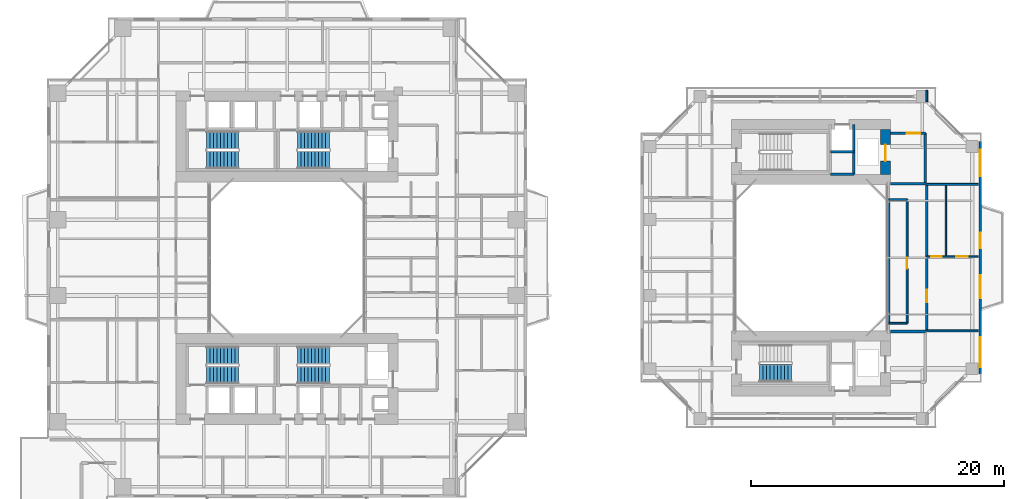
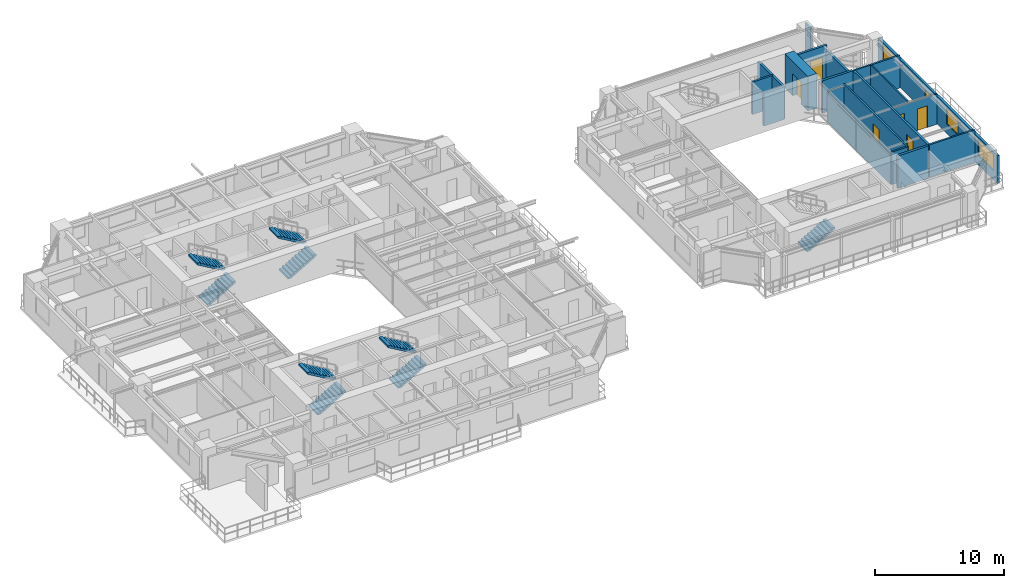
# One storey, part 17 of 22: 19 walls, 9 stair flights, 7 doors, 3 windows, 10 openings, 5 elements without a shape of their own.
"""IFC4 building model written with IfcOpenShell, lengths in metres."""

import ifcopenshell
import ifcopenshell.guid

model = None  # the IFC model being written
_history = None  # IfcOwnerHistory: only IFC2X3 demands one
_inside = {}  # id of a spatial element -> (the spatial element, [elements in it])
_under = {}  # id of a project, library or spatial element -> (it, [spatial elements below it])
_declared = {}  # id of a project -> (the project, [libraries it declares])
_typed = {}  # id of a type object -> (the type object, [elements of that type])
_made_of = {}  # id of a material, layer set ... -> (it, [elements and type objects made of it])


def new_model(schema):
    """Start an empty IFC model of exactly this schema.

    Asked for "IFC4X3", IfcOpenShell would pick the latest addendum, in which some entities
    have other attributes; the version numbers below select the first issue.
    IFC2X3 requires an IfcOwnerHistory on every rooted entity: one is made here for all.
    """
    global model, _history
    if schema == "IFC4X3":
        model = ifcopenshell.file(schema_version=(4, 3, 0, 0))
    else:
        model = ifcopenshell.file(schema=schema)
    _inside.clear()
    _under.clear()
    _declared.clear()
    _typed.clear()
    _made_of.clear()
    _history = None
    if model.schema == "IFC2X3":
        org = make("IfcOrganization", Name="unknown")
        user = make(
            "IfcPersonAndOrganization",
            ThePerson=make("IfcPerson", FamilyName="unknown"),
            TheOrganization=org,
        )
        app = make(
            "IfcApplication",
            ApplicationDeveloper=org,
            Version="unknown",
            ApplicationFullName="unknown",
            ApplicationIdentifier="unknown",
        )
        _history = make(
            "IfcOwnerHistory",
            OwningUser=user,
            OwningApplication=app,
            ChangeAction="ADDED",
            CreationDate=0,
        )
    return model


def make(cls, **values):
    """One entity of the class cls with the attributes given. An attribute that is None is left unset."""
    return model.create_entity(
        cls, **{name: value for name, value in values.items() if value is not None}
    )


def rooted(cls, **values):
    """An entity with a GlobalId (a new one), such as an element, a storey or a relation."""
    return make(cls, GlobalId=ifcopenshell.guid.new(), OwnerHistory=_history, **values)


def si_unit(unit_type, name, prefix=None):
    """IfcSIUnit, for example si_unit("LENGTHUNIT", "METRE", prefix="MILLI")."""
    return make("IfcSIUnit", UnitType=unit_type, Prefix=prefix, Name=name)


def assignment(units):
    """IfcUnitAssignment: the units of a project."""
    return None if units is None else make("IfcUnitAssignment", Units=units)


def point(xyz):
    """IfcCartesianPoint."""
    return None if xyz is None else make("IfcCartesianPoint", Coordinates=xyz)


def direction(xyz):
    """IfcDirection."""
    return None if xyz is None else make("IfcDirection", DirectionRatios=xyz)


def frame(location, z_axis=None, x_axis=None):
    """IfcAxis2Placement3D, a coordinate frame: its origin and axes. An axis left out is left unset."""
    return make(
        "IfcAxis2Placement3D",
        Location=point(location),
        Axis=direction(z_axis),
        RefDirection=direction(x_axis),
    )


def frame_2d(location, x_axis=None):
    """IfcAxis2Placement2D, a coordinate frame in the plane: its origin and x axis."""
    return make(
        "IfcAxis2Placement2D", Location=point(location), RefDirection=direction(x_axis)
    )


def origin():
    """The frame at (0, 0, 0) with its axes left unset."""
    return frame((0.0, 0.0, 0.0))


def place(relative_to, where):
    """IfcLocalPlacement: puts the frame where relative to a parent placement (None: the world)."""
    return make(
        "IfcLocalPlacement", PlacementRelTo=relative_to, RelativePlacement=where
    )


def context(
    kind, dimensions, precision=None, world=None, true_north=None, identifier=None
):
    """IfcGeometricRepresentationContext, for example the 3D "Model" context."""
    return make(
        "IfcGeometricRepresentationContext",
        ContextIdentifier=identifier,
        ContextType=kind,
        CoordinateSpaceDimension=dimensions,
        Precision=precision,
        WorldCoordinateSystem=world,
        TrueNorth=true_north,
    )


def subcontext(parent, identifier, kind, view, scale=None):
    """IfcGeometricRepresentationSubContext, for example "Body" below "Model"."""
    return make(
        "IfcGeometricRepresentationSubContext",
        ContextIdentifier=identifier,
        ContextType=kind,
        ParentContext=parent,
        TargetScale=scale,
        TargetView=view,
    )


def project(units=None, contexts=None):
    """IfcProject with its units and contexts."""
    return rooted(
        "IfcProject",
        Name="project",
        RepresentationContexts=contexts,
        UnitsInContext=assignment(units),
    )


def spatial(cls, under=None, at=None, **own):
    """A site, building, storey or space (cls), placed at a placement, below another one or the project."""
    s = rooted(cls, ObjectPlacement=at, **own)
    if under is not None:
        _under.setdefault(under.id(), (under, []))[1].append(s)
    return s


def polyline(points):
    """IfcPolyline through the points."""
    return make("IfcPolyline", Points=[point(p) for p in points])


def profile(cls, at=None, kind="AREA", **sizes):
    """A parametric profile (cls). Its sizes go by their IFC names, for example OverallWidth=200.0."""
    return make(cls, ProfileType=kind, Position=at, **sizes)


def rectangle(**sizes):
    """IfcRectangleProfileDef."""
    return profile("IfcRectangleProfileDef", **sizes)


def outline(outer, holes=None, kind="AREA"):
    """IfcArbitraryClosedProfileDef: a profile drawn as a closed curve; with holes, ...WithVoids."""
    if holes is None:
        return make("IfcArbitraryClosedProfileDef", ProfileType=kind, OuterCurve=outer)
    return make(
        "IfcArbitraryProfileDefWithVoids",
        ProfileType=kind,
        OuterCurve=outer,
        InnerCurves=holes,
    )


def extrude(swept, where, along, depth):
    """IfcExtrudedAreaSolid: the profile swept, set in the frame where, extruded along a direction by depth."""
    return make(
        "IfcExtrudedAreaSolid",
        SweptArea=swept,
        Position=where,
        ExtrudedDirection=direction(along),
        Depth=depth,
    )


def shape(context_of_items, identifier, shape_type, items):
    """IfcShapeRepresentation: the items that make up one representation, for example the "Body"."""
    return make(
        "IfcShapeRepresentation",
        ContextOfItems=context_of_items,
        RepresentationIdentifier=identifier,
        RepresentationType=shape_type,
        Items=items,
    )


def source(mapping_origin, context_of_items, identifier, shape_type, items):
    """IfcRepresentationMap: a shape defined once, which mapped items show again and again."""
    return make(
        "IfcRepresentationMap",
        MappingOrigin=mapping_origin,
        MappedRepresentation=shape(context_of_items, identifier, shape_type, items),
    )


def transform(
    local_origin,
    x_axis=None,
    y_axis=None,
    z_axis=None,
    scale=None,
    scale2=None,
    scale3=None,
    uniform=True,
):
    """IfcCartesianTransformationOperator3D, or its non-uniform kind. x_axis, y_axis, z_axis: its Axis1, 2, 3."""
    if uniform:
        return make(
            "IfcCartesianTransformationOperator3D",
            Axis1=direction(x_axis),
            Axis2=direction(y_axis),
            LocalOrigin=point(local_origin),
            Scale=scale,
            Axis3=direction(z_axis),
        )
    return make(
        "IfcCartesianTransformationOperator3DnonUniform",
        Axis1=direction(x_axis),
        Axis2=direction(y_axis),
        LocalOrigin=point(local_origin),
        Scale=scale,
        Axis3=direction(z_axis),
        Scale2=scale2,
        Scale3=scale3,
    )


def mapped(mapping_source, mapping_target):
    """IfcMappedItem: shows the shape of a source again, moved by a transform."""
    return make(
        "IfcMappedItem", MappingSource=mapping_source, MappingTarget=mapping_target
    )


def material(Name=None, Category=None):
    """IfcMaterial."""
    return make("IfcMaterial", Name=Name, Category=Category)


def layer(
    of_material, thickness, ventilated=None, Name=None, Category=None, Priority=None
):
    """IfcMaterialLayer: one layer of a wall or slab, of a material (None: an air gap)."""
    return make(
        "IfcMaterialLayer",
        Material=of_material,
        LayerThickness=thickness,
        IsVentilated=ventilated,
        Name=Name,
        Category=Category,
        Priority=Priority,
    )


def layer_set(layers, Name=None):
    """IfcMaterialLayerSet."""
    return make("IfcMaterialLayerSet", MaterialLayers=layers, LayerSetName=Name)


def made_of(thing, what):
    """Note that an element or type object is made of a material, layer set ...; save() writes the relation."""
    if what is not None:
        _made_of.setdefault(what.id(), (what, []))[1].append(thing)
    return thing


def type_object(cls, material=None, **own):
    """A type object (cls), such as IfcWallType, which elements share."""
    return made_of(rooted(cls, **own), material)


def element(
    cls,
    number,
    at=None,
    inside=None,
    cuts=None,
    type_object=None,
    material=None,
    context=None,
    identifier="Body",
    shape_type=None,
    held_by="IfcProductDefinitionShape",
    body=None,
    shapes=None,
    **own,
):
    """One element of the class cls, such as IfcWall. Its Tag is "e" and its number.

    at: its placement. inside: the storey or other place that contains it. cuts: it is an
    opening in that element (IfcRelVoidsElement). A single representation is given by context,
    identifier, shape_type and body (its items); several are given by shapes. held_by: the class
    of the entity that holds the representations. save() writes the other relations.
    """
    e = rooted(cls, Tag="e%d" % number, ObjectPlacement=at, **own)
    if body is not None:
        shapes = [shape(context, identifier, shape_type, body)]
    if shapes is not None:
        e.Representation = make(held_by, Representations=shapes)
    if inside is not None:
        _inside.setdefault(inside.id(), (inside, []))[1].append(e)
    if cuts is not None:
        rooted(
            "IfcRelVoidsElement", RelatingBuildingElement=cuts, RelatedOpeningElement=e
        )
    if type_object is not None:
        _typed.setdefault(type_object.id(), (type_object, []))[1].append(e)
    return made_of(e, material)


def fill(opening, filler):
    """IfcRelFillsElement: the door or window that sits in an opening."""
    return rooted(
        "IfcRelFillsElement",
        RelatingOpeningElement=opening,
        RelatedBuildingElement=filler,
    )


def aggregate(whole, parts):
    """IfcRelAggregates: a whole, such as a stair, and the parts it consists of."""
    return rooted("IfcRelAggregates", RelatingObject=whole, RelatedObjects=parts)


def save(model, path):
    """Write the relations noted so far, then the file.

    IfcRelAggregates (storeys below a building ...), IfcRelContainedInSpatialStructure (elements
    in a storey), IfcRelDefinesByType, IfcRelAssociatesMaterial and IfcRelDeclares: one each for
    every whole, place, type object, material and project.
    """
    for whole, parts in _under.values():
        aggregate(whole, parts)
    for where, things in _inside.values():
        rooted(
            "IfcRelContainedInSpatialStructure",
            RelatedElements=things,
            RelatingStructure=where,
        )
    for kind, things in _typed.values():
        rooted("IfcRelDefinesByType", RelatedObjects=things, RelatingType=kind)
    for what, things in _made_of.values():
        rooted("IfcRelAssociatesMaterial", RelatedObjects=things, RelatingMaterial=what)
    for by, libraries in _declared.values():
        rooted("IfcRelDeclares", RelatingContext=by, RelatedDefinitions=libraries)
    model.write(path)


model = new_model("IFC4")

# Units and contexts
model_context = context("Model", 3, precision=1e-05, world=origin(), true_north=direction((0.0, 1.0)))
body_context = subcontext(model_context, "Body", "Model", "MODEL_VIEW")
ifc_project = project(units=[si_unit("LENGTHUNIT", "METRE"), si_unit("AREAUNIT", "SQUARE_METRE"), si_unit("VOLUMEUNIT", "CUBIC_METRE"), si_unit("PLANEANGLEUNIT", "RADIAN"), si_unit("MASSUNIT", "GRAM", prefix="KILO"), si_unit("THERMODYNAMICTEMPERATUREUNIT", "KELVIN"), si_unit("POWERUNIT", "WATT")], contexts=[model_context])

# Site, building, storey
site_placement = place(None, origin())
site = spatial("IfcSite", under=ifc_project, at=site_placement, CompositionType="ELEMENT")
building_placement = place(site_placement, origin())
building = spatial("IfcBuilding", under=site, at=building_placement, Name="Qiaomeng Ring Towers", CompositionType="ELEMENT")
storey_placement = place(building_placement, frame((0.0, 0.0, 53.5)))
storey = spatial("IfcBuildingStorey", under=building, at=storey_placement, Name="L14", CompositionType="ELEMENT", Elevation=53.5)

# Wall, openings, windows, door
ifc_material_1 = material(Name="Precast concrete C40", Category="concrete")
ifc_layer_1 = layer(ifc_material_1, 0.219970703125, Name="Precast concrete C40")
ifc_layer_set_1 = layer_set([ifc_layer_1], Name="Precast concrete C40")
wall_type_1 = type_object("IfcWallType", Name="ARC-WL-EW2", PredefinedType="STANDARD", material=ifc_layer_set_1)
wall_1_placement = place(storey_placement, frame((73.889892578125, 13.800048828125, 0.0), z_axis=(0.0, 0.0, 1.0), x_axis=(0.0, 1.0, 0.0)))
wall_1 = element("IfcWall", 1, at=wall_1_placement, inside=storey, type_object=wall_type_1, Name="L14 Companion East Wall", PredefinedType="STANDARD", context=body_context, shape_type="SweptSolid", body=[
    extrude(rectangle(XDim=18.39990234375, YDim=0.219970703125, at=frame_2d((9.199951171875, 0.0))), origin(), (0.0, 0.0, 1.0), 2.610107421875),
])
opening_1_placement = place(wall_1_placement, frame((9.949951171875, 0.0, 0.0)))
opening_1 = element("IfcOpeningElement", 2, at=opening_1_placement, cuts=wall_1, Name="Opening BD1", PredefinedType="OPENING", context=body_context, shape_type="SweptSolid", body=[
    extrude(rectangle(XDim=1.199951171875, YDim=2.10009765625, at=frame_2d((0.60009765625, 1.050048828125))), frame((0.0, 0.119873046875, 0.0), z_axis=(0.0, -1.0, 0.0), x_axis=(1.0, 0.0, 0.0)), (0.0, 0.0, 1.0), 0.239990234375),
])
opening_2_placement = place(wall_1_placement, frame((0.507568359375, 0.0, 0.89990234375)))
opening_2 = element("IfcOpeningElement", 3, at=opening_2_placement, cuts=wall_1, Name="Opening WN6", PredefinedType="OPENING", context=body_context, shape_type="SweptSolid", body=[
    extrude(rectangle(XDim=2.39990234375, YDim=1.5, at=frame_2d((1.199951171875, 0.75))), frame((0.0, 0.119873046875, 0.0), z_axis=(0.0, -1.0, 0.0), x_axis=(1.0, 0.0, 0.0)), (0.0, 0.0, 1.0), 0.239990234375),
])
opening_3_placement = place(wall_1_placement, frame((6.0, 0.0, 0.89990234375)))
opening_3 = element("IfcOpeningElement", 4, at=opening_3_placement, cuts=wall_1, Name="Opening WN1", PredefinedType="OPENING", context=body_context, shape_type="SweptSolid", body=[
    extrude(rectangle(XDim=1.800048828125, YDim=1.449951171875, at=frame_2d((0.89990234375, 0.72509765625))), frame((0.0, 0.119873046875, 0.0), z_axis=(0.0, -1.0, 0.0), x_axis=(1.0, 0.0, 0.0)), (0.0, 0.0, 1.0), 0.239990234375),
])
opening_4_placement = place(wall_1_placement, frame((15.642578125, 0.0, 0.89990234375)))
opening_4 = element("IfcOpeningElement", 5, at=opening_4_placement, cuts=wall_1, Name="Opening WN4", PredefinedType="OPENING", context=body_context, shape_type="SweptSolid", body=[
    extrude(rectangle(XDim=2.10009765625, YDim=1.5, at=frame_2d((1.050048828125, 0.75))), frame((0.0, 0.119873046875, 0.0), z_axis=(0.0, -1.0, 0.0), x_axis=(1.0, 0.0, 0.0)), (0.0, 0.0, 1.0), 0.239990234375),
])
ifc_material_2 = material(Name="Low-E dark-grey laminated double glazing", Category="glass")
window_type_1 = type_object("IfcWindowType", Name="ARC-WN-4", PartitioningType="TRIPLE_PANEL_VERTICAL", PredefinedType="WINDOW", material=ifc_material_2)
shared_shape_1 = source(origin(), body_context, "Body", "SweptSolid", [
    extrude(rectangle(XDim=2.10009765625, YDim=1.5, at=frame_2d((1.050048828125, 0.75))), frame((0.0, 0.030029296875, 0.0), z_axis=(0.0, -1.0, 0.0), x_axis=(1.0, 0.0, 0.0)), (0.0, 0.0, 1.0), 0.06005859375),
])
window_1_placement = place(opening_4_placement, origin())
window_1 = element("IfcWindow", 6, at=window_1_placement, inside=storey, type_object=window_type_1, Name="L14 Exterior Window WN4", OverallHeight=1.5, OverallWidth=2.10009765625, PartitioningType="TRIPLE_PANEL_VERTICAL", PredefinedType="WINDOW", context=body_context, shape_type="MappedRepresentation", body=[
    mapped(shared_shape_1, transform((0.0, 0.0, 0.0), x_axis=(1.0, 0.0, 0.0), y_axis=(0.0, 1.0, 0.0), z_axis=(0.0, 0.0, 1.0), scale=1.0)),
])
fill(opening_4, window_1)
window_type_2 = type_object("IfcWindowType", Name="ARC-WN-1", PartitioningType="DOUBLE_PANEL_VERTICAL", PredefinedType="WINDOW", material=ifc_material_2)
shared_shape_2 = source(origin(), body_context, "Body", "SweptSolid", [
    extrude(rectangle(XDim=1.800048828125, YDim=1.449951171875, at=frame_2d((0.89990234375, 0.72509765625))), frame((0.0, 0.030029296875, 0.0), z_axis=(0.0, -1.0, 0.0), x_axis=(1.0, 0.0, 0.0)), (0.0, 0.0, 1.0), 0.06005859375),
])
window_2_placement = place(opening_3_placement, origin())
window_2 = element("IfcWindow", 7, at=window_2_placement, inside=storey, type_object=window_type_2, Name="L14 Exterior Window WN1", OverallHeight=1.449951171875, OverallWidth=1.800048828125, PartitioningType="DOUBLE_PANEL_VERTICAL", PredefinedType="WINDOW", context=body_context, shape_type="MappedRepresentation", body=[
    mapped(shared_shape_2, transform((0.0, 0.0, 0.0), x_axis=(1.0, 0.0, 0.0), y_axis=(0.0, 1.0, 0.0), z_axis=(0.0, 0.0, 1.0), scale=1.0)),
])
fill(opening_3, window_2)
door_type_1 = type_object("IfcDoorType", Name="ARC-DR-BD1", OperationType="NOTDEFINED", PredefinedType="DOOR", material=ifc_material_2)
shared_shape_3 = source(origin(), body_context, "Body", "SweptSolid", [
    extrude(rectangle(XDim=1.199951171875, YDim=2.10009765625, at=frame_2d((0.60009765625, 1.050048828125))), frame((0.0, 0.02490234375, 0.0), z_axis=(0.0, -1.0, 0.0), x_axis=(1.0, 0.0, 0.0)), (0.0, 0.0, 1.0), 0.050048828125),
])
door_1_placement = place(opening_1_placement, origin())
door_1 = element("IfcDoor", 8, at=door_1_placement, inside=storey, type_object=door_type_1, Name="L14 Companion East Balcony Door", OperationType="SINGLE_SWING_LEFT", OverallHeight=2.10009765625, OverallWidth=1.199951171875, PredefinedType="DOOR", context=body_context, shape_type="MappedRepresentation", body=[
    mapped(shared_shape_3, transform((0.0, 0.0, 0.0), x_axis=(1.0, 0.0, 0.0), y_axis=(0.0, 1.0, 0.0), z_axis=(0.0, 0.0, 1.0), scale=1.0)),
])
fill(opening_1, door_1)
window_type_3 = type_object("IfcWindowType", Name="ARC-WN-6", PartitioningType="TRIPLE_PANEL_VERTICAL", PredefinedType="WINDOW", material=ifc_material_2)
shared_shape_4 = source(origin(), body_context, "Body", "SweptSolid", [
    extrude(rectangle(XDim=2.39990234375, YDim=1.5, at=frame_2d((1.199951171875, 0.75))), frame((0.0, 0.030029296875, 0.0), z_axis=(0.0, -1.0, 0.0), x_axis=(1.0, 0.0, 0.0)), (0.0, 0.0, 1.0), 0.06005859375),
])
window_3_placement = place(opening_2_placement, origin())
window_3 = element("IfcWindow", 9, at=window_3_placement, inside=storey, type_object=window_type_3, Name="L14 Exterior Window WN6", OverallHeight=1.5, OverallWidth=2.39990234375, PartitioningType="TRIPLE_PANEL_VERTICAL", PredefinedType="WINDOW", context=body_context, shape_type="MappedRepresentation", body=[
    mapped(shared_shape_4, transform((0.0, 0.0, 0.0), x_axis=(1.0, 0.0, 0.0), y_axis=(0.0, 1.0, 0.0), z_axis=(0.0, 0.0, 1.0), scale=1.0)),
])
fill(opening_2, window_3)

# Walls
ifc_material_3 = material(Name="Autoclaved aerated concrete block", Category="concrete")
ifc_layer_2 = layer(ifc_material_3, 0.199951171875, Name="Autoclaved aerated concrete block")
ifc_layer_set_2 = layer_set([ifc_layer_2], Name="Autoclaved aerated concrete block")
wall_type_2 = type_object("IfcWallType", Name="ARC-WL-PW1", PredefinedType="PARTITIONING", material=ifc_layer_set_2)
wall_2_placement = place(storey_placement, frame((66.800048828125, 28.85009765625, 0.0), z_axis=(0.0, 0.0, 1.0), x_axis=(1.0, 0.0, 0.0)))
element("IfcWall", 10, at=wall_2_placement, inside=storey, type_object=wall_type_2, Name="L14 Interior Wall PW1", PredefinedType="PARTITIONING", context=body_context, shape_type="SweptSolid", body=[
    extrude(rectangle(XDim=2.75, YDim=0.199951171875, at=frame_2d((1.375, 0.0))), origin(), (0.0, 0.0, 1.0), 3.070068359375),
])
wall_3_placement = place(storey_placement, frame((69.550048828125, 28.85009765625, 0.0), z_axis=(0.0, 0.0, 1.0), x_axis=(0.0, 1.0, 0.0)))
element("IfcWall", 11, at=wall_3_placement, inside=storey, type_object=wall_type_2, Name="L14 Interior Wall PW1", PredefinedType="PARTITIONING", context=body_context, shape_type="SweptSolid", body=[
    extrude(rectangle(XDim=4.0, YDim=0.199951171875, at=frame_2d((2.0, 0.0))), origin(), (0.0, 0.0, 1.0), 2.614990234375),
])

# Wall, opening, door
wall_4_placement = place(storey_placement, frame((66.800048828125, 32.85009765625, 0.0), z_axis=(0.0, 0.0, 1.0), x_axis=(1.0, 0.0, 0.0)))
wall_4 = element("IfcWall", 12, at=wall_4_placement, inside=storey, type_object=wall_type_2, Name="L14 Interior Wall PW1", PredefinedType="PARTITIONING", context=body_context, shape_type="SweptSolid", body=[
    extrude(rectangle(XDim=2.75, YDim=0.199951171875, at=frame_2d((1.375, 0.0))), origin(), (0.0, 0.0, 1.0), 3.070068359375),
])
opening_5_placement = place(wall_4_placement, frame((1.25, 0.0, 0.0)))
opening_5 = element("IfcOpeningElement", 13, at=opening_5_placement, cuts=wall_4, Name="Opening FD3", PredefinedType="OPENING", context=body_context, shape_type="SweptSolid", body=[
    extrude(rectangle(XDim=1.10009765625, YDim=2.050048828125, at=frame_2d((0.550048828125, 1.02490234375))), frame((0.0, 0.10986328125, 0.0), z_axis=(0.0, -1.0, 0.0), x_axis=(1.0, 0.0, 0.0)), (0.0, 0.0, 1.0), 0.219970703125),
])
ifc_material_4 = material(Name="Galvanised steel", Category="steel")
door_type_2 = type_object("IfcDoorType", Name="ARC-DR-FD3", OperationType="NOTDEFINED", PredefinedType="DOOR", material=ifc_material_4)
shared_shape_5 = source(origin(), body_context, "Body", "SweptSolid", [
    extrude(rectangle(XDim=1.10009765625, YDim=2.050048828125, at=frame_2d((0.550048828125, 1.02490234375))), frame((0.0, 0.02490234375, 0.0), z_axis=(0.0, -1.0, 0.0), x_axis=(1.0, 0.0, 0.0)), (0.0, 0.0, 1.0), 0.050048828125),
])
door_2_placement = place(opening_5_placement, origin())
door_2 = element("IfcDoor", 14, at=door_2_placement, inside=storey, type_object=door_type_2, Name="L14 Door FD3", OperationType="SINGLE_SWING_LEFT", OverallHeight=2.050048828125, OverallWidth=1.10009765625, PredefinedType="DOOR", context=body_context, shape_type="MappedRepresentation", body=[
    mapped(shared_shape_5, transform((0.0, 0.0, 0.0), x_axis=(1.0, 0.0, 0.0), y_axis=(0.0, 1.0, 0.0), z_axis=(0.0, 0.0, 1.0), scale=1.0)),
])
fill(opening_5, door_2)

# Wall
wall_5_placement = place(storey_placement, frame((66.800048828125, 17.14990234375, 0.0), z_axis=(0.0, 0.0, 1.0), x_axis=(1.0, 0.0, 0.0)))
element("IfcWall", 15, at=wall_5_placement, inside=storey, type_object=wall_type_2, Name="L14 Interior Wall PW1", PredefinedType="PARTITIONING", context=body_context, shape_type="SweptSolid", body=[
    extrude(rectangle(XDim=2.75, YDim=0.199951171875, at=frame_2d((1.375, 0.0))), origin(), (0.0, 0.0, 1.0), 3.070068359375),
])

# Wall, opening, door
ifc_layer_3 = layer(ifc_material_3, 0.179931640625, Name="Autoclaved aerated concrete block")
ifc_layer_set_3 = layer_set([ifc_layer_3], Name="Autoclaved aerated concrete block")
wall_type_3 = type_object("IfcWallType", Name="ARC-WL-PW2", PredefinedType="PARTITIONING", material=ifc_layer_set_3)
wall_6_placement = place(storey_placement, frame((69.64990234375, 17.199951171875, 0.0), z_axis=(0.0, 0.0, 1.0), x_axis=(0.0, 1.0, 0.0)))
wall_6 = element("IfcWall", 16, at=wall_6_placement, inside=storey, type_object=wall_type_3, Name="L14 Interior Wall PW2", PredefinedType="PARTITIONING", context=body_context, shape_type="SweptSolid", body=[
    extrude(rectangle(XDim=11.60009765625, YDim=0.179931640625, at=frame_2d((5.800048828125, 0.0))), origin(), (0.0, 0.0, 1.0), 3.070068359375),
])
opening_6_placement = place(wall_6_placement, frame((2.260009765625, 0.0, 0.0)))
opening_6 = element("IfcOpeningElement", 17, at=opening_6_placement, cuts=wall_6, Name="Opening FD4", PredefinedType="OPENING", context=body_context, shape_type="SweptSolid", body=[
    extrude(rectangle(XDim=1.0, YDim=2.050048828125, at=frame_2d((0.5, 1.02490234375))), frame((0.0, 0.099853515625, 0.0), z_axis=(0.0, -1.0, 0.0), x_axis=(1.0, 0.0, 0.0)), (0.0, 0.0, 1.0), 0.199951171875),
])
ifc_material_5 = material(Name="Engineered fire-rated oak timber", Category="wood")
door_type_3 = type_object("IfcDoorType", Name="ARC-DR-FD4", OperationType="NOTDEFINED", PredefinedType="DOOR", material=ifc_material_5)
shared_shape_6 = source(origin(), body_context, "Body", "SweptSolid", [
    extrude(rectangle(XDim=1.0, YDim=2.050048828125, at=frame_2d((0.5, 1.02490234375))), frame((0.0, 0.02490234375, 0.0), z_axis=(0.0, -1.0, 0.0), x_axis=(1.0, 0.0, 0.0)), (0.0, 0.0, 1.0), 0.050048828125),
])
door_3_placement = place(opening_6_placement, origin())
door_3 = element("IfcDoor", 18, at=door_3_placement, inside=storey, type_object=door_type_3, Name="L14 Door FD4", OperationType="SINGLE_SWING_LEFT", OverallHeight=2.050048828125, OverallWidth=1.0, PredefinedType="DOOR", context=body_context, shape_type="MappedRepresentation", body=[
    mapped(shared_shape_6, transform((0.0, 0.0, 0.0), x_axis=(1.0, 0.0, 0.0), y_axis=(0.0, 1.0, 0.0), z_axis=(0.0, 0.0, 1.0), scale=1.0)),
])
fill(opening_6, door_3)

# Walls
ifc_material_6 = material(Name="Gypsum fireboard steel-stud partition", Category="steel")
ifc_layer_4 = layer(ifc_material_6, 0.14990234375, Name="Gypsum fireboard steel-stud partition")
ifc_layer_set_4 = layer_set([ifc_layer_4], Name="Gypsum fireboard steel-stud partition")
wall_type_4 = type_object("IfcWallType", Name="ARC-WL-PW3", PredefinedType="PARTITIONING", material=ifc_layer_set_4)
for number, where, z_axis, x_axis, name in (
    (19, (69.64990234375, 17.199951171875, 0.0), (0.0, 0.0, 1.0), (1.0, 0.0, 0.0), "L14 Interior Wall PW3"),
    (20, (69.64990234375, 28.800048828125, 0.0), (0.0, 0.0, 1.0), (1.0, 0.0, 0.0), "L14 Interior Wall PW3"),
):
    element("IfcWall", number, at=place(storey_placement, frame(where, z_axis=z_axis, x_axis=x_axis)), inside=storey, type_object=wall_type_4, Name=name, PredefinedType="PARTITIONING", context=body_context, shape_type="SweptSolid", body=[
        extrude(rectangle(XDim=4.10009765625, YDim=0.14990234375, at=frame_2d((2.050048828125, 0.0))), origin(), (0.0, 0.0, 1.0), 3.070068359375),
    ])

# Wall, opening, door
wall_7_placement = place(storey_placement, frame((68.10009765625, 17.800048828125, 0.0), z_axis=(0.0, 0.0, 1.0), x_axis=(0.0, 1.0, 0.0)))
wall_7 = element("IfcWall", 21, at=wall_7_placement, inside=storey, type_object=wall_type_4, Name="L14 Interior Wall PW3", PredefinedType="PARTITIONING", context=body_context, shape_type="SweptSolid", body=[
    extrude(rectangle(XDim=9.800048828125, YDim=0.14990234375, at=frame_2d((4.89990234375, 0.0))), origin(), (0.0, 0.0, 1.0), 3.070068359375),
])
opening_7_placement = place(wall_7_placement, frame((4.300048828125, 0.0, 0.0)))
opening_7 = element("IfcOpeningElement", 22, at=opening_7_placement, cuts=wall_7, Name="Opening ID1", PredefinedType="OPENING", context=body_context, shape_type="SweptSolid", body=[
    extrude(rectangle(XDim=0.89990234375, YDim=2.050048828125, at=frame_2d((0.449951171875, 1.02490234375))), frame((0.0, 0.0849609375, 0.0), z_axis=(0.0, -1.0, 0.0), x_axis=(1.0, 0.0, 0.0)), (0.0, 0.0, 1.0), 0.169921875),
])
ifc_material_7 = material(Name="Engineered oak timber", Category="wood")
door_type_4 = type_object("IfcDoorType", Name="ARC-DR-ID1", OperationType="NOTDEFINED", PredefinedType="DOOR", material=ifc_material_7)
shared_shape_7 = source(origin(), body_context, "Body", "SweptSolid", [
    extrude(rectangle(XDim=0.89990234375, YDim=2.050048828125, at=frame_2d((0.449951171875, 1.02490234375))), frame((0.0, 0.02490234375, 0.0), z_axis=(0.0, -1.0, 0.0), x_axis=(1.0, 0.0, 0.0)), (0.0, 0.0, 1.0), 0.050048828125),
])
door_4_placement = place(opening_7_placement, origin())
door_4 = element("IfcDoor", 23, at=door_4_placement, inside=storey, type_object=door_type_4, Name="L14 Door ID1", OperationType="SINGLE_SWING_RIGHT", OverallHeight=2.050048828125, OverallWidth=0.89990234375, PredefinedType="DOOR", context=body_context, shape_type="MappedRepresentation", body=[
    mapped(shared_shape_7, transform((0.0, 0.0, 0.0), x_axis=(1.0, 0.0, 0.0), y_axis=(0.0, 1.0, 0.0), z_axis=(0.0, 0.0, 1.0), scale=1.0)),
])
fill(opening_7, door_4)

# Walls
wall_8_placement = place(storey_placement, frame((66.64990234375, 27.60009765625, 0.0), z_axis=(0.0, 0.0, 1.0), x_axis=(1.0, 0.0, 0.0)))
element("IfcWall", 24, at=wall_8_placement, inside=storey, type_object=wall_type_4, Name="L14 Interior Wall PW3", PredefinedType="PARTITIONING", context=body_context, shape_type="SweptSolid", body=[
    extrude(rectangle(XDim=1.4501953125, YDim=0.14990234375, at=frame_2d((0.72509765625, 0.0))), origin(), (0.0, 0.0, 1.0), 2.864990234375),
])
wall_9_placement = place(storey_placement, frame((66.64990234375, 17.800048828125, 0.0), z_axis=(0.0, 0.0, 1.0), x_axis=(1.0, 0.0, 0.0)))
element("IfcWall", 25, at=wall_9_placement, inside=storey, type_object=wall_type_4, Name="L14 Interior Wall PW3", PredefinedType="PARTITIONING", context=body_context, shape_type="SweptSolid", body=[
    extrude(rectangle(XDim=1.4501953125, YDim=0.14990234375, at=frame_2d((0.72509765625, 0.0))), origin(), (0.0, 0.0, 1.0), 3.070068359375),
])
wall_10_placement = place(storey_placement, frame((66.64990234375, 17.800048828125, 0.0), z_axis=(0.0, 0.0, 1.0), x_axis=(0.0, 1.0, 0.0)))
element("IfcWall", 26, at=wall_10_placement, inside=storey, type_object=wall_type_4, Name="L14 Interior Wall PW3", PredefinedType="PARTITIONING", context=body_context, shape_type="SweptSolid", body=[
    extrude(rectangle(XDim=9.800048828125, YDim=0.14990234375, at=frame_2d((4.89990234375, 0.0))), origin(), (0.0, 0.0, 1.0), 2.6650390625),
])
wall_11_placement = place(storey_placement, frame((69.64990234375, 35.35009765625, 0.0), z_axis=(0.0, 0.0, 1.0), x_axis=(0.0, 1.0, 0.0)))
element("IfcWall", 27, at=wall_11_placement, inside=storey, type_object=wall_type_4, Name="L14 Interior Wall PW3", PredefinedType="PARTITIONING", context=body_context, shape_type="SweptSolid", body=[
    extrude(rectangle(XDim=0.89990234375, YDim=0.14990234375, at=frame_2d((0.449951171875, 0.0))), origin(), (0.0, 0.0, 1.0), 3.070068359375),
])

# Wall, openings, doors
ifc_material_8 = material(Name="Moisture-resistant gypsum steel-stud partition", Category="steel")
ifc_layer_5 = layer(ifc_material_8, 0.1201171875, Name="Moisture-resistant gypsum steel-stud partition")
ifc_layer_set_5 = layer_set([ifc_layer_5], Name="Moisture-resistant gypsum steel-stud partition")
wall_type_5 = type_object("IfcWallType", Name="ARC-WL-PW4", PredefinedType="PLUMBINGWALL", material=ifc_layer_set_5)
wall_12_placement = place(storey_placement, frame((69.64990234375, 23.10009765625, 0.0), z_axis=(0.0, 0.0, 1.0), x_axis=(1.0, 0.0, 0.0)))
wall_12 = element("IfcWall", 28, at=wall_12_placement, inside=storey, type_object=wall_type_5, Name="L14 Interior Wall PW4", PredefinedType="PLUMBINGWALL", context=body_context, shape_type="SweptSolid", body=[
    extrude(rectangle(XDim=4.10009765625, YDim=0.1201171875, at=frame_2d((2.050048828125, 0.0))), origin(), (0.0, 0.0, 1.0), 2.864990234375),
])
opening_8_placement = place(wall_12_placement, frame((0.344970703125, 0.0, 0.0)))
opening_8 = element("IfcOpeningElement", 29, at=opening_8_placement, cuts=wall_12, Name="Opening ID2", PredefinedType="OPENING", context=body_context, shape_type="SweptSolid", body=[
    extrude(rectangle(XDim=0.85009765625, YDim=2.050048828125, at=frame_2d((0.425048828125, 1.02490234375))), frame((0.0, 0.070068359375, 0.0), z_axis=(0.0, -1.0, 0.0), x_axis=(1.0, 0.0, 0.0)), (0.0, 0.0, 1.0), 0.14013671875),
])
opening_9_placement = place(wall_12_placement, frame((2.35009765625, 0.0, 0.0)))
opening_9 = element("IfcOpeningElement", 30, at=opening_9_placement, cuts=wall_12, Name="Opening ID1", PredefinedType="OPENING", context=body_context, shape_type="SweptSolid", body=[
    extrude(rectangle(XDim=0.89990234375, YDim=2.050048828125, at=frame_2d((0.449951171875, 1.02490234375))), frame((0.0, 0.070068359375, 0.0), z_axis=(0.0, -1.0, 0.0), x_axis=(1.0, 0.0, 0.0)), (0.0, 0.0, 1.0), 0.14013671875),
])
ifc_material_9 = material(Name="Moisture-resistant engineered timber", Category="wood")
door_type_5 = type_object("IfcDoorType", Name="ARC-DR-ID2", OperationType="NOTDEFINED", PredefinedType="DOOR", material=ifc_material_9)
shared_shape_8 = source(origin(), body_context, "Body", "SweptSolid", [
    extrude(rectangle(XDim=0.85009765625, YDim=2.050048828125, at=frame_2d((0.425048828125, 1.02490234375))), frame((0.0, 0.02490234375, 0.0), z_axis=(0.0, -1.0, 0.0), x_axis=(1.0, 0.0, 0.0)), (0.0, 0.0, 1.0), 0.050048828125),
])
door_5_placement = place(opening_8_placement, origin())
door_5 = element("IfcDoor", 31, at=door_5_placement, inside=storey, type_object=door_type_5, Name="L14 Door ID2", OperationType="SINGLE_SWING_LEFT", OverallHeight=2.050048828125, OverallWidth=0.85009765625, PredefinedType="DOOR", context=body_context, shape_type="MappedRepresentation", body=[
    mapped(shared_shape_8, transform((0.0, 0.0, 0.0), x_axis=(1.0, 0.0, 0.0), y_axis=(0.0, 1.0, 0.0), z_axis=(0.0, 0.0, 1.0), scale=1.0)),
])
fill(opening_8, door_5)
door_6_placement = place(opening_9_placement, origin())
door_6 = element("IfcDoor", 32, at=door_6_placement, inside=storey, type_object=door_type_4, Name="L14 Door ID1", OperationType="SINGLE_SWING_RIGHT", OverallHeight=2.050048828125, OverallWidth=0.89990234375, PredefinedType="DOOR", context=body_context, shape_type="MappedRepresentation", body=[
    mapped(shared_shape_7, transform((0.0, 0.0, 0.0), x_axis=(1.0, 0.0, 0.0), y_axis=(0.0, 1.0, 0.0), z_axis=(0.0, 0.0, 1.0), scale=1.0)),
])
fill(opening_9, door_6)

# Walls
wall_13_placement = place(storey_placement, frame((71.169921875, 23.10009765625, 0.0), z_axis=(0.0, 0.0, 1.0), x_axis=(0.0, 1.0, 0.0)))
element("IfcWall", 33, at=wall_13_placement, inside=storey, type_object=wall_type_5, Name="L14 Interior Wall PW4", PredefinedType="PLUMBINGWALL", context=body_context, shape_type="SweptSolid", body=[
    extrude(rectangle(XDim=5.699951171875, YDim=0.1201171875, at=frame_2d((2.85009765625, 0.0))), origin(), (0.0, 0.0, 1.0), 3.070068359375),
])
ifc_material_10 = material(Name="Concrete C40", Category="concrete")
ifc_layer_6 = layer(ifc_material_10, 0.199951171875, Name="Concrete C40")
ifc_layer_set_6 = layer_set([ifc_layer_6], Name="Concrete C40")
wall_type_6 = type_object("IfcWallType", Name="STR-WL-STSHAFT", PredefinedType="SHEAR", material=ifc_layer_set_6)
wall_14_placement = place(storey_placement, frame((63.8798828125, 29.60009765625, 0.0), z_axis=(0.0, 0.0, 1.0), x_axis=(0.0, 1.0, 0.0)))
element("IfcWall", 34, at=wall_14_placement, inside=storey, type_object=wall_type_6, Name="L14 Companion Lift Shaft East Wall N", PredefinedType="SHEAR", context=body_context, shape_type="SweptSolid", body=[
    extrude(rectangle(XDim=3.949951171875, YDim=0.179931640625, at=frame_2d((1.97509765625, 0.0))), origin(), (0.0, 0.0, 1.0), 3.070068359375),
])
for number, where, z_axis, x_axis, name in (
    (35, (62.02001953125, 31.3798828125, 0.0), (0.0, 0.0, 1.0), (1.0, 0.0, 0.0), "L14 Companion Lift Shaft Divider Wall N"),
    (36, (62.02001953125, 29.60009765625, 0.0), (0.0, 0.0, 1.0), (1.0, 0.0, 0.0), "L14 Companion Riser Shaft Back Wall N"),
):
    element("IfcWall", number, at=place(storey_placement, frame(where, z_axis=z_axis, x_axis=x_axis)), inside=storey, type_object=wall_type_6, Name=name, PredefinedType="SHEAR", context=body_context, shape_type="SweptSolid", body=[
        extrude(rectangle(XDim=1.85986328125, YDim=0.179931640625, at=frame_2d((0.929931640625, 0.0))), origin(), (0.0, 0.0, 1.0), 3.070068359375),
    ])

# Wall, opening, door
ifc_material_11 = material(Name="Concrete C60", Category="concrete")
ifc_layer_7 = layer(ifc_material_11, 0.800048828125, Name="Concrete C60")
ifc_layer_set_7 = layer_set([ifc_layer_7], Name="Concrete C60")
wall_type_7 = type_object("IfcWallType", Name="STR-WL-SW1", PredefinedType="SHEAR", material=ifc_layer_set_7)
wall_15_placement = place(storey_placement, frame((66.39990234375, 29.60009765625, 0.0), z_axis=(0.0, 0.0, 1.0), x_axis=(0.0, 1.0, 0.0)))
wall_15 = element("IfcWall", 37, at=wall_15_placement, inside=storey, type_object=wall_type_7, Name="L14 T2NC east core shear wall", PredefinedType="SHEAR", context=body_context, shape_type="SweptSolid", body=[
    extrude(rectangle(XDim=3.5498046875, YDim=0.800048828125, at=frame_2d((1.77490234375, 0.0))), origin(), (0.0, 0.0, 1.0), 3.25),
])
opening_10_placement = place(wall_15_placement, frame((1.050048828125, 0.0, 0.0)))
opening_10 = element("IfcOpeningElement", 38, at=opening_10_placement, cuts=wall_15, Name="Opening LD2", PredefinedType="OPENING", context=body_context, shape_type="SweptSolid", body=[
    extrude(rectangle(XDim=1.300048828125, YDim=2.050048828125, at=frame_2d((0.64990234375, 1.02490234375))), frame((0.0, 0.409912109375, 0.0), z_axis=(0.0, -1.0, 0.0), x_axis=(1.0, 0.0, 0.0)), (0.0, 0.0, 1.0), 0.820068359375),
])
ifc_material_12 = material(Name="Stainless steel 316", Category="steel")
door_type_6 = type_object("IfcDoorType", Name="ARC-DR-LD2", OperationType="NOTDEFINED", PredefinedType="DOOR", material=ifc_material_12)
shared_shape_9 = source(origin(), body_context, "Body", "SweptSolid", [
    extrude(rectangle(XDim=1.300048828125, YDim=2.050048828125, at=frame_2d((0.64990234375, 1.02490234375))), frame((0.0, 0.02490234375, 0.0), z_axis=(0.0, -1.0, 0.0), x_axis=(1.0, 0.0, 0.0)), (0.0, 0.0, 1.0), 0.050048828125),
])
door_7_placement = place(opening_10_placement, origin())
door_7 = element("IfcDoor", 39, at=door_7_placement, inside=storey, type_object=door_type_6, Name="L14 Firefighting Lift FL3 Landing Door", OperationType="SLIDING_TO_LEFT", OverallHeight=2.050048828125, OverallWidth=1.300048828125, PredefinedType="DOOR", context=body_context, shape_type="MappedRepresentation", body=[
    mapped(shared_shape_9, transform((0.0, 0.0, 0.0), x_axis=(1.0, 0.0, 0.0), y_axis=(0.0, 1.0, 0.0), z_axis=(0.0, 0.0, 1.0), scale=1.0)),
])
fill(opening_10, door_7)

# Stair, stair flights
stair_type = type_object("IfcStairType", Name="ARC-ST-325", PredefinedType="HALF_TURN_STAIR", material=ifc_material_1)
stair_1_placement = place(storey_placement, origin())
stair_1 = element("IfcStair", 40, at=stair_1_placement, inside=storey, type_object=stair_type, Name="L14 Tower 1 North Stair 1", PredefinedType="HALF_TURN_STAIR")
stair_flight_type = type_object("IfcStairFlightType", Name="ARC-ST-325-FL", PredefinedType="STRAIGHT", material=ifc_material_1)
shared_shape_10 = source(origin(), body_context, "Body", "SweptSolid", [
    extrude(outline(polyline([(0.0, 0.0), (0.0, 0.16259765625), (0.280029296875, 0.16259765625), (0.280029296875, 0.324951171875), (0.56005859375, 0.324951171875), (0.56005859375, 0.487548828125), (0.840087890625, 0.487548828125), (0.840087890625, 0.64990234375), (1.1201171875, 0.64990234375), (1.1201171875, 0.8125), (1.39990234375, 0.8125), (1.39990234375, 0.97509765625), (1.679931640625, 0.97509765625), (1.679931640625, 1.137451171875), (1.9599609375, 1.137451171875), (1.9599609375, 1.300048828125), (2.239990234375, 1.300048828125), (2.239990234375, 1.46240234375), (2.52001953125, 1.46240234375), (2.52001953125, 1.625), (2.52001953125, 1.2890625), (0.298583984375, 0.0), (0.0, 0.0)])), frame((0.0, 0.699951171875, 0.0), z_axis=(0.0, -1.0, 0.0), x_axis=(1.0, 0.0, 0.0)), (0.0, 0.0, 1.0), 1.39990234375),
])
stair_flight_1_placement = place(storey_placement, frame((12.6201171875, 30.75, 0.0), z_axis=(0.0, 0.0, 1.0), x_axis=(1.0, 0.0, 0.0)))
stair_flight_1 = element("IfcStairFlight", 41, at=stair_flight_1_placement, type_object=stair_flight_type, Name="ST1 flight 1", NumberOfRisers=10, NumberOfTreads=9, PredefinedType="STRAIGHT", RiserHeight=0.1625, TreadLength=0.28, context=body_context, shape_type="MappedRepresentation", body=[
    mapped(shared_shape_10, transform((0.0, 0.0, 0.0), x_axis=(1.0, 0.0, 0.0), y_axis=(0.0, 1.0, 0.0), z_axis=(0.0, 0.0, 1.0), scale=1.0)),
])
stair_flight_2_placement = place(storey_placement, frame((15.139892578125, 32.2900390625, 1.625), z_axis=(0.0, 0.0, 1.0), x_axis=(-1.0, 0.0, 0.0)))
stair_flight_2 = element("IfcStairFlight", 42, at=stair_flight_2_placement, type_object=stair_flight_type, Name="ST1 flight 2", NumberOfRisers=10, NumberOfTreads=9, PredefinedType="STRAIGHT", RiserHeight=0.1625, TreadLength=0.28, context=body_context, shape_type="MappedRepresentation", body=[
    mapped(shared_shape_10, transform((0.0, 0.0, 0.0), x_axis=(1.0, 0.0, 0.0), y_axis=(0.0, 1.0, 0.0), z_axis=(0.0, 0.0, 1.0), scale=1.0)),
])
aggregate(stair_1, [stair_flight_1, stair_flight_2])

stair_2_placement = place(storey_placement, origin())
stair_2 = element("IfcStair", 43, at=stair_2_placement, inside=storey, type_object=stair_type, Name="L14 Tower 1 North Stair 2", PredefinedType="HALF_TURN_STAIR")
stair_flight_3_placement = place(storey_placement, frame((19.820068359375, 30.75, 0.0), z_axis=(0.0, 0.0, 1.0), x_axis=(1.0, 0.0, 0.0)))
stair_flight_3 = element("IfcStairFlight", 44, at=stair_flight_3_placement, type_object=stair_flight_type, Name="ST2 flight 1", NumberOfRisers=10, NumberOfTreads=9, PredefinedType="STRAIGHT", RiserHeight=0.1625, TreadLength=0.28, context=body_context, shape_type="MappedRepresentation", body=[
    mapped(shared_shape_10, transform((0.0, 0.0, 0.0), x_axis=(1.0, 0.0, 0.0), y_axis=(0.0, 1.0, 0.0), z_axis=(0.0, 0.0, 1.0), scale=1.0)),
])
stair_flight_4_placement = place(storey_placement, frame((22.340087890625, 32.2900390625, 1.625), z_axis=(0.0, 0.0, 1.0), x_axis=(-1.0, 0.0, 0.0)))
stair_flight_4 = element("IfcStairFlight", 45, at=stair_flight_4_placement, type_object=stair_flight_type, Name="ST2 flight 2", NumberOfRisers=10, NumberOfTreads=9, PredefinedType="STRAIGHT", RiserHeight=0.1625, TreadLength=0.28, context=body_context, shape_type="MappedRepresentation", body=[
    mapped(shared_shape_10, transform((0.0, 0.0, 0.0), x_axis=(1.0, 0.0, 0.0), y_axis=(0.0, 1.0, 0.0), z_axis=(0.0, 0.0, 1.0), scale=1.0)),
])
aggregate(stair_2, [stair_flight_3, stair_flight_4])

stair_3_placement = place(storey_placement, origin())
stair_3 = element("IfcStair", 46, at=stair_3_placement, inside=storey, type_object=stair_type, Name="L14 Tower 1 South Stair 3", PredefinedType="HALF_TURN_STAIR")
stair_flight_5_placement = place(storey_placement, frame((12.6201171875, 13.7099609375, 0.0), z_axis=(0.0, 0.0, 1.0), x_axis=(1.0, 0.0, 0.0)))
stair_flight_5 = element("IfcStairFlight", 47, at=stair_flight_5_placement, type_object=stair_flight_type, Name="ST3 flight 1", NumberOfRisers=10, NumberOfTreads=9, PredefinedType="STRAIGHT", RiserHeight=0.1625, TreadLength=0.28, context=body_context, shape_type="MappedRepresentation", body=[
    mapped(shared_shape_10, transform((0.0, 0.0, 0.0), x_axis=(1.0, 0.0, 0.0), y_axis=(0.0, 1.0, 0.0), z_axis=(0.0, 0.0, 1.0), scale=1.0)),
])
stair_flight_6_placement = place(storey_placement, frame((15.139892578125, 15.25, 1.625), z_axis=(0.0, 0.0, 1.0), x_axis=(-1.0, 0.0, 0.0)))
stair_flight_6 = element("IfcStairFlight", 48, at=stair_flight_6_placement, type_object=stair_flight_type, Name="ST3 flight 2", NumberOfRisers=10, NumberOfTreads=9, PredefinedType="STRAIGHT", RiserHeight=0.1625, TreadLength=0.28, context=body_context, shape_type="MappedRepresentation", body=[
    mapped(shared_shape_10, transform((0.0, 0.0, 0.0), x_axis=(1.0, 0.0, 0.0), y_axis=(0.0, 1.0, 0.0), z_axis=(0.0, 0.0, 1.0), scale=1.0)),
])
aggregate(stair_3, [stair_flight_5, stair_flight_6])

stair_4_placement = place(storey_placement, origin())
stair_4 = element("IfcStair", 49, at=stair_4_placement, inside=storey, type_object=stair_type, Name="L14 Tower 1 South Stair 4", PredefinedType="HALF_TURN_STAIR")
stair_flight_7_placement = place(storey_placement, frame((19.820068359375, 13.7099609375, 0.0), z_axis=(0.0, 0.0, 1.0), x_axis=(1.0, 0.0, 0.0)))
stair_flight_7 = element("IfcStairFlight", 50, at=stair_flight_7_placement, type_object=stair_flight_type, Name="ST4 flight 1", NumberOfRisers=10, NumberOfTreads=9, PredefinedType="STRAIGHT", RiserHeight=0.1625, TreadLength=0.28, context=body_context, shape_type="MappedRepresentation", body=[
    mapped(shared_shape_10, transform((0.0, 0.0, 0.0), x_axis=(1.0, 0.0, 0.0), y_axis=(0.0, 1.0, 0.0), z_axis=(0.0, 0.0, 1.0), scale=1.0)),
])
stair_flight_8_placement = place(storey_placement, frame((22.340087890625, 15.25, 1.625), z_axis=(0.0, 0.0, 1.0), x_axis=(-1.0, 0.0, 0.0)))
stair_flight_8 = element("IfcStairFlight", 51, at=stair_flight_8_placement, type_object=stair_flight_type, Name="ST4 flight 2", NumberOfRisers=10, NumberOfTreads=9, PredefinedType="STRAIGHT", RiserHeight=0.1625, TreadLength=0.28, context=body_context, shape_type="MappedRepresentation", body=[
    mapped(shared_shape_10, transform((0.0, 0.0, 0.0), x_axis=(1.0, 0.0, 0.0), y_axis=(0.0, 1.0, 0.0), z_axis=(0.0, 0.0, 1.0), scale=1.0)),
])
aggregate(stair_4, [stair_flight_7, stair_flight_8])

# Stair, stair flight
stair_5_placement = place(storey_placement, origin())
stair_5 = element("IfcStair", 52, at=stair_5_placement, inside=storey, type_object=stair_type, Name="L14 Companion South Stair 6", PredefinedType="HALF_TURN_STAIR")
stair_flight_9_placement = place(storey_placement, frame((56.419921875, 13.860107421875, 0.0), z_axis=(0.0, 0.0, 1.0), x_axis=(1.0, 0.0, 0.0)))
stair_flight_9 = element("IfcStairFlight", 53, at=stair_flight_9_placement, type_object=stair_flight_type, Name="ST6 flight 1", NumberOfRisers=10, NumberOfTreads=9, PredefinedType="STRAIGHT", RiserHeight=0.1625, TreadLength=0.28, context=body_context, shape_type="MappedRepresentation", body=[
    mapped(shared_shape_10, transform((0.0, 0.0, 0.0), x_axis=(1.0, 0.0, 0.0), y_axis=(0.0, 1.0, 0.0), z_axis=(0.0, 0.0, 1.0), scale=1.0)),
])
aggregate(stair_5, [stair_flight_9])

save(model, "model.ifc")
